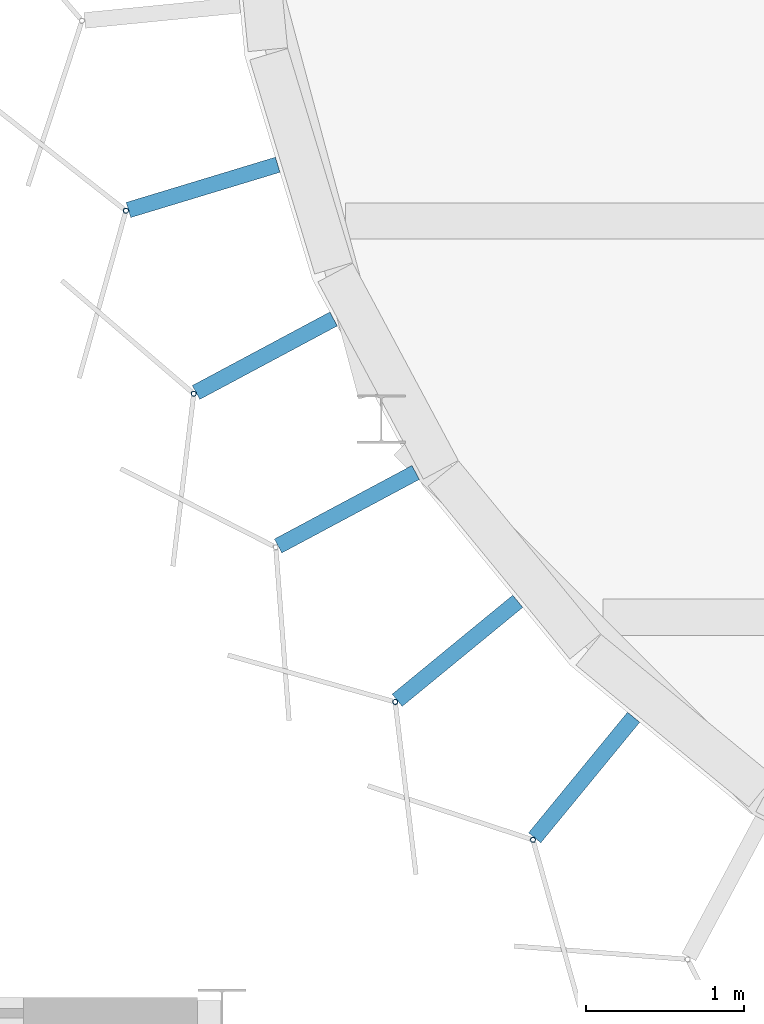
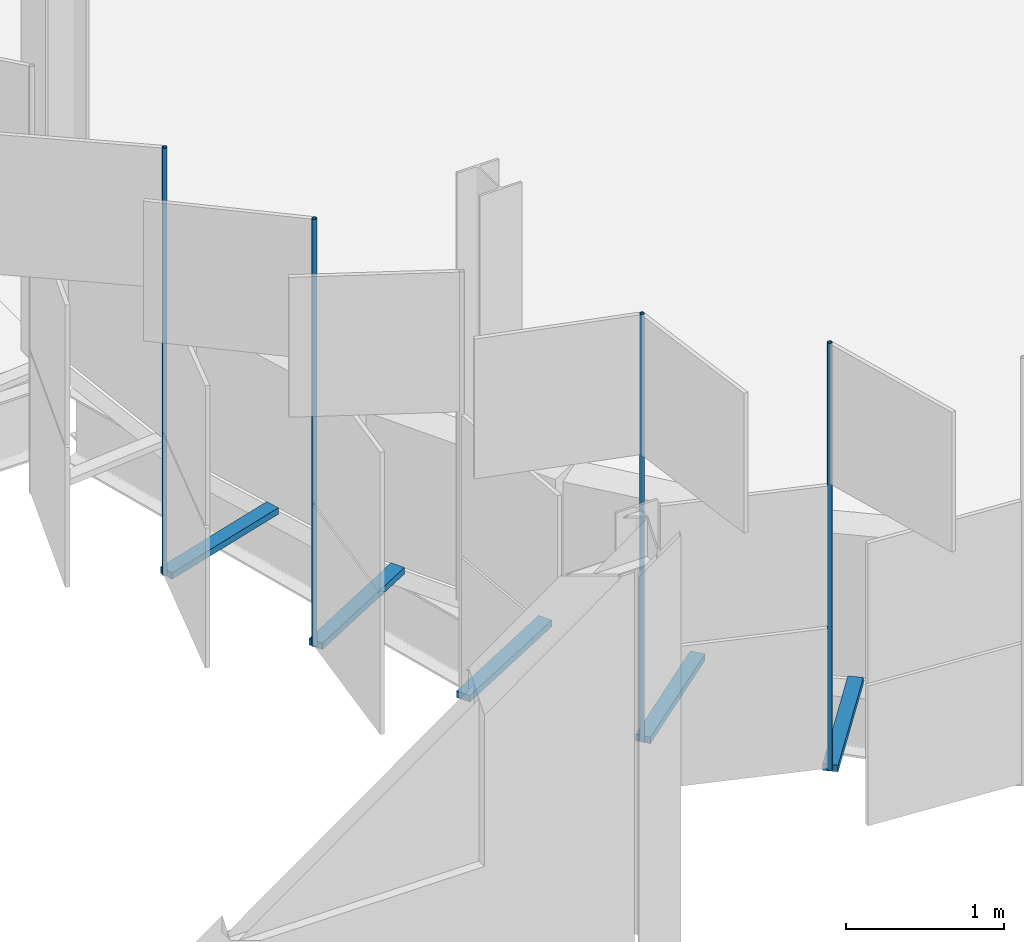
# One storey, part 85 of 198: 9 discrete accessories.
"""IFC4 building model written with IfcOpenShell, lengths in metres."""

from ifc_helpers import new_model, si_unit, direction, frame, origin, origin_2d, place, context, subcontext, project, spatial, rectangle, hollow_circle, extrude, material, material_profile, profile_set, type_object, element, save


model = new_model("IFC4")

# Units and contexts
model_context = context("Model", 3, precision=1e-05, world=origin(), true_north=direction((0.0, 1.0)))
body_context = subcontext(model_context, "Body", "Model", "MODEL_VIEW")
ifc_project = project(units=[si_unit("LENGTHUNIT", "METRE"), si_unit("AREAUNIT", "SQUARE_METRE"), si_unit("VOLUMEUNIT", "CUBIC_METRE"), si_unit("PLANEANGLEUNIT", "RADIAN"), si_unit("MASSUNIT", "GRAM", prefix="KILO")], contexts=[model_context])

# Site, building, storey
site_placement = place(None, origin())
site = spatial("IfcSite", under=ifc_project, at=site_placement, CompositionType="ELEMENT")
building_placement = place(site_placement, origin())
building = spatial("IfcBuilding", under=site, at=building_placement, Name="Parallax Yard Mobility Hub", CompositionType="ELEMENT")
storey_placement = place(building_placement, frame((0.0, 0.0, 6.60009765625)))
storey = spatial("IfcBuildingStorey", under=building, at=storey_placement, Name="L02", CompositionType="ELEMENT", Elevation=6.60009765625)

# Discrete accessories
ifc_material_1 = material(Name="Steel ASTM A36, hot-dip galvanised", Category="steel")
discrete_accessory_type_1 = type_object("IfcDiscreteAccessoryType", Name="Hinge bracket plate 100x50", PredefinedType="BRACKET", material=ifc_material_1)
for number, where, z_axis, x_axis, name in (
    (1, (194.880615234375, 27.712158203125, -0.02490234375), (0.0, 0.0, 1.0), (-0.956940335732, -0.290284677254, 0.0), "Hinge bracket plate bay 30.3 level L02"),
    (2, (195.27001953125, 26.64990234375, -0.02490234375), (0.0, 0.0, 1.0), (-0.881921264348, -0.471396736826, 0.0), "Hinge bracket plate bay 30.4 level L02"),
    (3, (195.787841796875, 25.681396484375, -0.02490234375), (0.0, 0.0, 1.0), (-0.881921264348, -0.471396736826, 0.0), "Hinge bracket plate bay 30.5 level L02"),
    (4, (196.485595703125, 24.7880859375, -0.02490234375), (0.0, 0.0, 1.0), (-0.773010453363, -0.634393284164, 0.0), "Hinge bracket plate bay 30.6 level L02"),
    (5, (197.284912109375, 23.988525390625, -0.02490234375), (0.0, 0.0, 1.0), (-0.634393284164, -0.773010453363, 0.0), "Hinge bracket plate bay 30.7 level L02"),
):
    element("IfcDiscreteAccessory", number, at=place(storey_placement, frame(where, z_axis=z_axis, x_axis=x_axis)), inside=storey, type_object=discrete_accessory_type_1, Name=name, PredefinedType="BRACKET", context=body_context, shape_type="SweptSolid", body=[
        extrude(rectangle(XDim=0.984130859375, YDim=0.10009765625, at=origin_2d()), origin(), (0.0, 0.0, 1.0), 0.050048828125),
    ])
ifc_material_2 = material(Name="Steel ASTM A500 Gr C, hot-dip galvanised", Category="steel")
ifc_material_profile = material_profile(ifc_material_2, hollow_circle(Radius=0.016845703125, WallThickness=0.003173828125, at=origin_2d()), Name="CHS 33.7x3.2")
ifc_profile_set = profile_set([ifc_material_profile], Name="Steel ASTM A500 Gr C, hot-dip galvanised")
discrete_accessory_type_2 = type_object("IfcDiscreteAccessoryType", Name="Hinge post CHS 33.7x3.2", PredefinedType="BRACKET", material=ifc_profile_set)
for number, where, z_axis, x_axis, name in (
    (6, (194.39404296875, 27.564697265625, 0.0), (0.0, 0.0, 1.0), (1.0, 0.0, 0.0), "Hinge post bay 30.3 level L02"),
    (7, (194.82177734375, 26.41015625, 0.0), (0.0, 0.0, 1.0), (1.0, 0.0, 0.0), "Hinge post bay 30.4 level L02"),
    (8, (196.0927734375, 24.465576171875, 0.0), (0.0, 0.0, 1.0), (1.0, 0.0, 0.0), "Hinge post bay 30.6 level L02"),
    (9, (196.962158203125, 23.595458984375, 0.0), (0.0, 0.0, 1.0), (1.0, 0.0, 0.0), "Hinge post bay 30.7 level L02"),
):
    element("IfcDiscreteAccessory", number, at=place(storey_placement, frame(where, z_axis=z_axis, x_axis=x_axis)), inside=storey, type_object=discrete_accessory_type_2, Name=name, PredefinedType="BRACKET", context=body_context, shape_type="SweptSolid", body=[
        extrude(hollow_circle(Radius=0.016845703125, WallThickness=0.003173828125, at=origin_2d()), origin(), (0.0, 0.0, 1.0), 3.2998046875),
    ])

save(model, "model.ifc")
